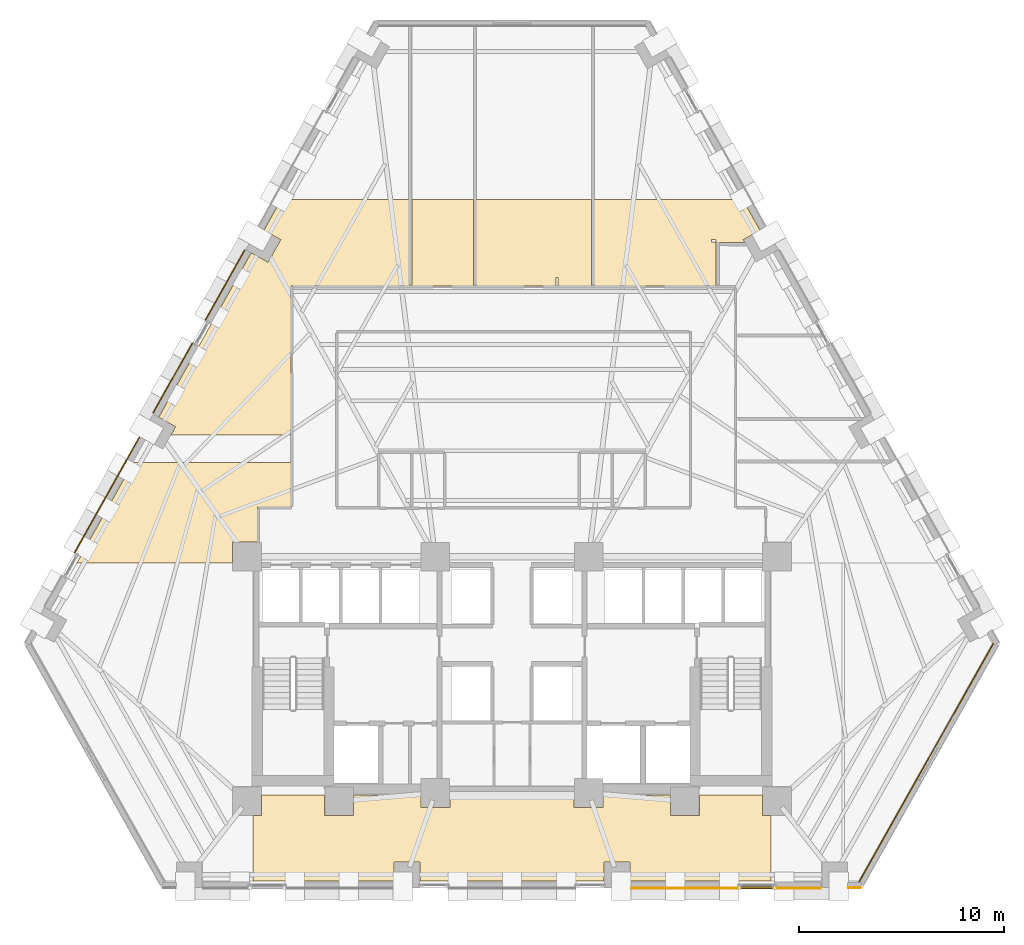
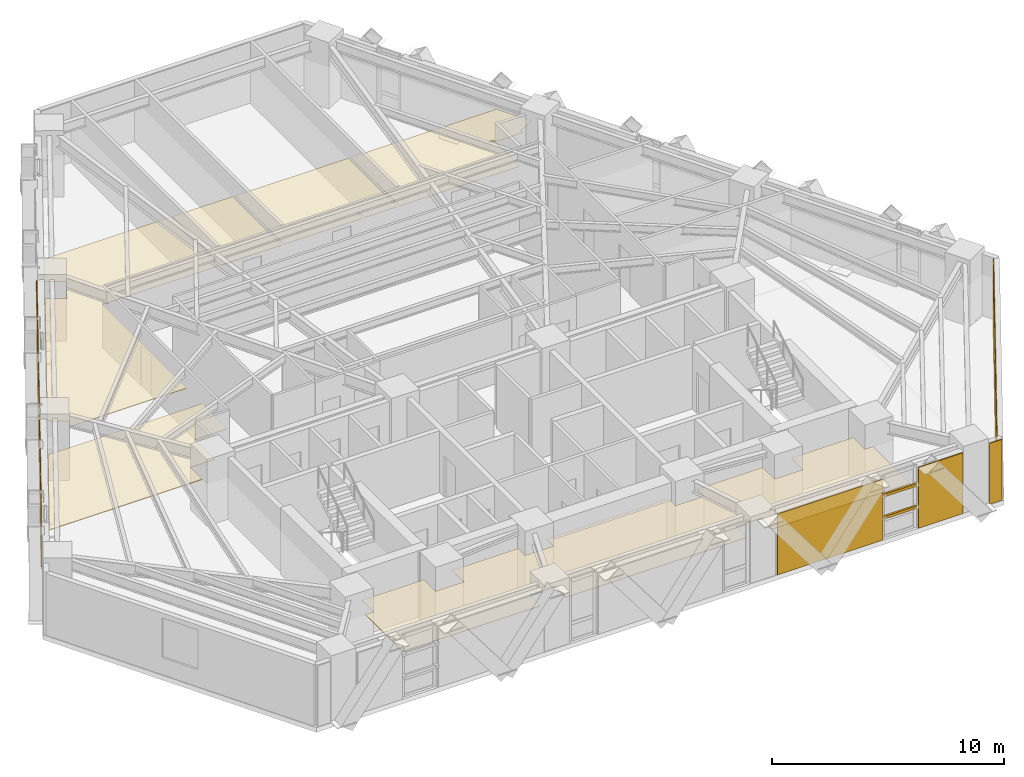
# One storey, part 11 of 13: 13 coverings, 2 shading devices.
"""IFC4 building model written with IfcOpenShell, lengths in metres."""

import ifcopenshell
import ifcopenshell.guid

model = None  # the IFC model being written
_history = None  # IfcOwnerHistory: only IFC2X3 demands one
_inside = {}  # id of a spatial element -> (the spatial element, [elements in it])
_under = {}  # id of a project, library or spatial element -> (it, [spatial elements below it])
_declared = {}  # id of a project -> (the project, [libraries it declares])
_typed = {}  # id of a type object -> (the type object, [elements of that type])
_made_of = {}  # id of a material, layer set ... -> (it, [elements and type objects made of it])


def new_model(schema):
    """Start an empty IFC model of exactly this schema.

    Asked for "IFC4X3", IfcOpenShell would pick the latest addendum, in which some entities
    have other attributes; the version numbers below select the first issue.
    IFC2X3 requires an IfcOwnerHistory on every rooted entity: one is made here for all.
    """
    global model, _history
    if schema == "IFC4X3":
        model = ifcopenshell.file(schema_version=(4, 3, 0, 0))
    else:
        model = ifcopenshell.file(schema=schema)
    _inside.clear()
    _under.clear()
    _declared.clear()
    _typed.clear()
    _made_of.clear()
    _history = None
    if model.schema == "IFC2X3":
        org = make("IfcOrganization", Name="unknown")
        user = make(
            "IfcPersonAndOrganization",
            ThePerson=make("IfcPerson", FamilyName="unknown"),
            TheOrganization=org,
        )
        app = make(
            "IfcApplication",
            ApplicationDeveloper=org,
            Version="unknown",
            ApplicationFullName="unknown",
            ApplicationIdentifier="unknown",
        )
        _history = make(
            "IfcOwnerHistory",
            OwningUser=user,
            OwningApplication=app,
            ChangeAction="ADDED",
            CreationDate=0,
        )
    return model


def make(cls, **values):
    """One entity of the class cls with the attributes given. An attribute that is None is left unset."""
    return model.create_entity(
        cls, **{name: value for name, value in values.items() if value is not None}
    )


def rooted(cls, **values):
    """An entity with a GlobalId (a new one), such as an element, a storey or a relation."""
    return make(cls, GlobalId=ifcopenshell.guid.new(), OwnerHistory=_history, **values)


def si_unit(unit_type, name, prefix=None):
    """IfcSIUnit, for example si_unit("LENGTHUNIT", "METRE", prefix="MILLI")."""
    return make("IfcSIUnit", UnitType=unit_type, Prefix=prefix, Name=name)


def assignment(units):
    """IfcUnitAssignment: the units of a project."""
    return None if units is None else make("IfcUnitAssignment", Units=units)


def point(xyz):
    """IfcCartesianPoint."""
    return None if xyz is None else make("IfcCartesianPoint", Coordinates=xyz)


def direction(xyz):
    """IfcDirection."""
    return None if xyz is None else make("IfcDirection", DirectionRatios=xyz)


def frame(location, z_axis=None, x_axis=None):
    """IfcAxis2Placement3D, a coordinate frame: its origin and axes. An axis left out is left unset."""
    return make(
        "IfcAxis2Placement3D",
        Location=point(location),
        Axis=direction(z_axis),
        RefDirection=direction(x_axis),
    )


def frame_2d(location, x_axis=None):
    """IfcAxis2Placement2D, a coordinate frame in the plane: its origin and x axis."""
    return make(
        "IfcAxis2Placement2D", Location=point(location), RefDirection=direction(x_axis)
    )


def origin():
    """The frame at (0, 0, 0) with its axes left unset."""
    return frame((0.0, 0.0, 0.0))


def origin_2d():
    """The frame at (0, 0) in the plane with its x axis left unset."""
    return frame_2d((0.0, 0.0))


def place(relative_to, where):
    """IfcLocalPlacement: puts the frame where relative to a parent placement (None: the world)."""
    return make(
        "IfcLocalPlacement", PlacementRelTo=relative_to, RelativePlacement=where
    )


def context(
    kind, dimensions, precision=None, world=None, true_north=None, identifier=None
):
    """IfcGeometricRepresentationContext, for example the 3D "Model" context."""
    return make(
        "IfcGeometricRepresentationContext",
        ContextIdentifier=identifier,
        ContextType=kind,
        CoordinateSpaceDimension=dimensions,
        Precision=precision,
        WorldCoordinateSystem=world,
        TrueNorth=true_north,
    )


def subcontext(parent, identifier, kind, view, scale=None):
    """IfcGeometricRepresentationSubContext, for example "Body" below "Model"."""
    return make(
        "IfcGeometricRepresentationSubContext",
        ContextIdentifier=identifier,
        ContextType=kind,
        ParentContext=parent,
        TargetScale=scale,
        TargetView=view,
    )


def project(units=None, contexts=None):
    """IfcProject with its units and contexts."""
    return rooted(
        "IfcProject",
        Name="project",
        RepresentationContexts=contexts,
        UnitsInContext=assignment(units),
    )


def spatial(cls, under=None, at=None, **own):
    """A site, building, storey or space (cls), placed at a placement, below another one or the project."""
    s = rooted(cls, ObjectPlacement=at, **own)
    if under is not None:
        _under.setdefault(under.id(), (under, []))[1].append(s)
    return s


def polyline(points):
    """IfcPolyline through the points."""
    return make("IfcPolyline", Points=[point(p) for p in points])


def profile(cls, at=None, kind="AREA", **sizes):
    """A parametric profile (cls). Its sizes go by their IFC names, for example OverallWidth=200.0."""
    return make(cls, ProfileType=kind, Position=at, **sizes)


def rectangle(**sizes):
    """IfcRectangleProfileDef."""
    return profile("IfcRectangleProfileDef", **sizes)


def outline(outer, holes=None, kind="AREA"):
    """IfcArbitraryClosedProfileDef: a profile drawn as a closed curve; with holes, ...WithVoids."""
    if holes is None:
        return make("IfcArbitraryClosedProfileDef", ProfileType=kind, OuterCurve=outer)
    return make(
        "IfcArbitraryProfileDefWithVoids",
        ProfileType=kind,
        OuterCurve=outer,
        InnerCurves=holes,
    )


def extrude(swept, where, along, depth):
    """IfcExtrudedAreaSolid: the profile swept, set in the frame where, extruded along a direction by depth."""
    return make(
        "IfcExtrudedAreaSolid",
        SweptArea=swept,
        Position=where,
        ExtrudedDirection=direction(along),
        Depth=depth,
    )


def shape(context_of_items, identifier, shape_type, items):
    """IfcShapeRepresentation: the items that make up one representation, for example the "Body"."""
    return make(
        "IfcShapeRepresentation",
        ContextOfItems=context_of_items,
        RepresentationIdentifier=identifier,
        RepresentationType=shape_type,
        Items=items,
    )


def material(Name=None, Category=None):
    """IfcMaterial."""
    return make("IfcMaterial", Name=Name, Category=Category)


def layer(
    of_material, thickness, ventilated=None, Name=None, Category=None, Priority=None
):
    """IfcMaterialLayer: one layer of a wall or slab, of a material (None: an air gap)."""
    return make(
        "IfcMaterialLayer",
        Material=of_material,
        LayerThickness=thickness,
        IsVentilated=ventilated,
        Name=Name,
        Category=Category,
        Priority=Priority,
    )


def layer_set(layers, Name=None):
    """IfcMaterialLayerSet."""
    return make("IfcMaterialLayerSet", MaterialLayers=layers, LayerSetName=Name)


def material_profile(
    of_material, cross_section, Name=None, Category=None, Priority=None
):
    """IfcMaterialProfile: a cross section and its material."""
    return make(
        "IfcMaterialProfile",
        Name=Name,
        Material=of_material,
        Profile=cross_section,
        Priority=Priority,
        Category=Category,
    )


def profile_set(profiles, Name=None, composite=None):
    """IfcMaterialProfileSet."""
    return make(
        "IfcMaterialProfileSet",
        Name=Name,
        MaterialProfiles=profiles,
        CompositeProfile=composite,
    )


def made_of(thing, what):
    """Note that an element or type object is made of a material, layer set ...; save() writes the relation."""
    if what is not None:
        _made_of.setdefault(what.id(), (what, []))[1].append(thing)
    return thing


def type_object(cls, material=None, **own):
    """A type object (cls), such as IfcWallType, which elements share."""
    return made_of(rooted(cls, **own), material)


def element(
    cls,
    number,
    at=None,
    inside=None,
    cuts=None,
    type_object=None,
    material=None,
    context=None,
    identifier="Body",
    shape_type=None,
    held_by="IfcProductDefinitionShape",
    body=None,
    shapes=None,
    **own,
):
    """One element of the class cls, such as IfcWall. Its Tag is "e" and its number.

    at: its placement. inside: the storey or other place that contains it. cuts: it is an
    opening in that element (IfcRelVoidsElement). A single representation is given by context,
    identifier, shape_type and body (its items); several are given by shapes. held_by: the class
    of the entity that holds the representations. save() writes the other relations.
    """
    e = rooted(cls, Tag="e%d" % number, ObjectPlacement=at, **own)
    if body is not None:
        shapes = [shape(context, identifier, shape_type, body)]
    if shapes is not None:
        e.Representation = make(held_by, Representations=shapes)
    if inside is not None:
        _inside.setdefault(inside.id(), (inside, []))[1].append(e)
    if cuts is not None:
        rooted(
            "IfcRelVoidsElement", RelatingBuildingElement=cuts, RelatedOpeningElement=e
        )
    if type_object is not None:
        _typed.setdefault(type_object.id(), (type_object, []))[1].append(e)
    return made_of(e, material)


def aggregate(whole, parts):
    """IfcRelAggregates: a whole, such as a stair, and the parts it consists of."""
    return rooted("IfcRelAggregates", RelatingObject=whole, RelatedObjects=parts)


def save(model, path):
    """Write the relations noted so far, then the file.

    IfcRelAggregates (storeys below a building ...), IfcRelContainedInSpatialStructure (elements
    in a storey), IfcRelDefinesByType, IfcRelAssociatesMaterial and IfcRelDeclares: one each for
    every whole, place, type object, material and project.
    """
    for whole, parts in _under.values():
        aggregate(whole, parts)
    for where, things in _inside.values():
        rooted(
            "IfcRelContainedInSpatialStructure",
            RelatedElements=things,
            RelatingStructure=where,
        )
    for kind, things in _typed.values():
        rooted("IfcRelDefinesByType", RelatedObjects=things, RelatingType=kind)
    for what, things in _made_of.values():
        rooted("IfcRelAssociatesMaterial", RelatedObjects=things, RelatingMaterial=what)
    for by, libraries in _declared.values():
        rooted("IfcRelDeclares", RelatingContext=by, RelatedDefinitions=libraries)
    model.write(path)


model = new_model("IFC4")

# Units and contexts
model_context = context("Model", 3, precision=1e-05, world=origin(), true_north=direction((0.0, 1.0)))
body_context = subcontext(model_context, "Body", "Model", "MODEL_VIEW")
ifc_project = project(units=[si_unit("LENGTHUNIT", "METRE"), si_unit("AREAUNIT", "SQUARE_METRE"), si_unit("VOLUMEUNIT", "CUBIC_METRE"), si_unit("PLANEANGLEUNIT", "RADIAN"), si_unit("MASSUNIT", "GRAM", prefix="KILO")], contexts=[model_context])

# Site, building, storey
site_placement = place(None, origin())
site = spatial("IfcSite", under=ifc_project, at=site_placement, CompositionType="ELEMENT")
building_placement = place(site_placement, origin())
building = spatial("IfcBuilding", under=site, at=building_placement, Name="Quenlor Broadcast Tower", CompositionType="ELEMENT")
storey_placement = place(building_placement, frame((0.0, 0.0, 38.10009765625)))
storey = spatial("IfcBuildingStorey", under=building, at=storey_placement, Name="L09", CompositionType="ELEMENT", Elevation=38.10009765625)

# Coverings
ifc_material_1 = material(Name="Acoustic Mineral Fibre Board", Category="other")
ifc_layer_1 = layer(ifc_material_1, 0.02490234375)
ifc_layer_set_1 = layer_set([ifc_layer_1], Name="Acoustic Perforated Mineral Tile Ceiling 25")
covering_type_1 = type_object("IfcCoveringType", Name="Acoustic Perforated Mineral Tile Ceiling 25", PredefinedType="CEILING", material=ifc_layer_set_1)
covering_1_placement = place(storey_placement, frame((0.0, 0.0, 2.224853515625)))
element("IfcCovering", 1, at=covering_1_placement, inside=storey, type_object=covering_type_1, Name="L09 Acoustic Ceiling L09-34", PredefinedType="CEILING", context=body_context, shape_type="SweptSolid", body=[
    extrude(outline(polyline([(-1.765869140625, 8.429931640625), (-1.765869140625, 12.64990234375), (3.8798828125, 12.64990234375), (3.8798828125, 8.429931640625), (2.260009765625, 8.429931640625), (2.260009765625, 8.85009765625), (2.139892578125, 8.85009765625), (2.139892578125, 8.429931640625), (-1.765869140625, 8.429931640625)])), origin(), (0.0, 0.0, 1.0), 0.025146484375),
])
covering_2_placement = place(storey_placement, frame((0.0, 0.0, 2.224853515625)))
element("IfcCovering", 2, at=covering_2_placement, inside=storey, type_object=covering_type_1, Name="L09 Acoustic Ceiling L09-35", PredefinedType="CEILING", context=body_context, shape_type="SweptSolid", body=[
    extrude(outline(polyline([(10.04248046875, 10.561279296875), (10.0166015625, 10.5751953125), (9.993896484375, 10.593994140625), (9.975341796875, 10.61669921875), (9.96142578125, 10.642578125), (9.952880859375, 10.670654296875), (9.949951171875, 10.699951171875), (9.75, 10.699951171875), (9.75, 10.580078125), (9.97998046875, 10.580078125), (9.97998046875, 8.429931640625), (4.0, 8.429931640625), (4.0, 12.64990234375), (11.27587890625, 12.64990234375), (12.122802734375, 11.154541015625), (11.301025390625, 10.6923828125), (11.381103515625, 10.550048828125), (10.10009765625, 10.550048828125), (10.07080078125, 10.552978515625), (10.04248046875, 10.561279296875)])), origin(), (0.0, 0.0, 1.0), 0.025146484375),
])
covering_3_placement = place(storey_placement, frame((0.0, 0.0, 2.224853515625)))
element("IfcCovering", 3, at=covering_3_placement, inside=storey, type_object=covering_type_1, Name="L09 Acoustic Ceiling L09-36", PredefinedType="CEILING", context=body_context, shape_type="SweptSolid", body=[
    extrude(outline(polyline([(-16.6630859375, 1.159912109375), (-16.44189453125, 1.552978515625), (-17.263671875, 2.015380859375), (-12.74365234375, 10.05126953125), (-11.921630859375, 9.5888671875), (-11.301025390625, 10.6923828125), (-12.122802734375, 11.154541015625), (-11.28173828125, 12.64990234375), (-5.02001953125, 12.64990234375), (-5.02001953125, 8.429931640625), (-10.804931640625, 8.429931640625), (-10.804931640625, 1.159912109375), (-16.6630859375, 1.159912109375)])), origin(), (0.0, 0.0, 1.0), 0.025146484375),
])
ifc_material_2 = material(Name="Acoustic Gypsum Board", Category="other")
ifc_layer_2 = layer(ifc_material_2, 0.0400390625)
ifc_layer_set_2 = layer_set([ifc_layer_2], Name="Broadcast Studio Spring Isolated Ceiling 40")
covering_type_2 = type_object("IfcCoveringType", Name="Broadcast Studio Spring Isolated Ceiling 40", PredefinedType="CEILING", material=ifc_layer_set_2)
covering_4_placement = place(storey_placement, frame((0.0, 0.0, 2.2099609375)))
element("IfcCovering", 4, at=covering_4_placement, inside=storey, type_object=covering_type_2, Name="L09 Acoustic Ceiling L09-33", PredefinedType="CEILING", context=body_context, shape_type="SweptSolid", body=[
    extrude(outline(polyline([(-1.8857421875, 8.429931640625), (-4.89990234375, 8.429931640625), (-4.89990234375, 12.64990234375), (-1.8857421875, 12.64990234375), (-1.8857421875, 8.429931640625)])), origin(), (0.0, 0.0, 1.0), 0.0400390625),
])
covering_5_placement = place(storey_placement, frame((0.0, 0.0, 2.2099609375)))
element("IfcCovering", 5, at=covering_5_placement, inside=storey, type_object=covering_type_2, Name="L09 Acoustic Ceiling L09-40", PredefinedType="CEILING", context=body_context, shape_type="SweptSolid", body=[
    extrude(outline(polyline([(-12.43994140625, -2.3701171875), (-12.43994140625, -4.092041015625), (-13.657958984375, -4.092041015625), (-13.657958984375, -5.1201171875), (-21.27734375, -5.1201171875), (-18.50439453125, -0.190185546875), (-10.804931640625, -0.190185546875), (-10.804931640625, -2.3701171875), (-12.43994140625, -2.3701171875)])), origin(), (0.0, 0.0, 1.0), 0.0400390625),
])
covering_6_placement = place(storey_placement, frame((0.0, 0.0, 2.2099609375)))
element("IfcCovering", 6, at=covering_6_placement, inside=storey, type_object=covering_type_2, Name="L09 Acoustic Ceiling L09-40-6", PredefinedType="CEILING", context=body_context, shape_type="SweptSolid", body=[
    extrude(outline(polyline([(-12.241943359375, -17.4580078125), (-12.241943359375, -16.449951171875), (-9.157958984375, -16.449951171875), (-9.157958984375, -17.4580078125), (-7.741943359375, -17.4580078125), (-7.741943359375, -16.449951171875), (-4.4580078125, -16.449951171875), (-4.4580078125, -17.05810546875), (-3.0419921875, -17.05810546875), (-3.0419921875, -16.449951171875), (3.0419921875, -16.449951171875), (3.0419921875, -17.05810546875), (4.4580078125, -17.05810546875), (4.4580078125, -16.449951171875), (7.741943359375, -16.449951171875), (7.741943359375, -17.4580078125), (9.157958984375, -17.4580078125), (9.157958984375, -16.449951171875), (12.241943359375, -16.449951171875), (12.241943359375, -17.4580078125), (12.64990234375, -17.4580078125), (12.64990234375, -20.659912109375), (5.773681640625, -20.659912109375), (5.773681640625, -19.717041015625), (4.5078125, -19.717041015625), (4.5078125, -20.659912109375), (-4.5078125, -20.659912109375), (-4.5078125, -19.717041015625), (-5.773681640625, -19.717041015625), (-5.773681640625, -20.659912109375), (-12.64990234375, -20.659912109375), (-12.64990234375, -17.4580078125), (-12.241943359375, -17.4580078125)])), origin(), (0.0, 0.0, 1.0), 0.0400390625),
])

# Shading devices
ifc_material_3 = material(Name="Architectural Terracotta Ceramic", Category="masonry")
ifc_material_profile = material_profile(ifc_material_3, rectangle(XDim=0.090087890625, YDim=0.139892578125, at=origin_2d()))
ifc_profile_set = profile_set([ifc_material_profile], Name="Architectural Terracotta Ceramic BAG90x140")
shading_device_type = type_object("IfcShadingDeviceType", Name="Copper Terracotta Baguette Solar Screen 140", PredefinedType="USERDEFINED", material=ifc_profile_set)
for number, where, z_axis, x_axis, name in (
    (7, (12.794921875, -20.98291015625, 1.169921875), (-1.0, 0.0, 0.0), (0.0, -1.0, 0.0), "L09 Terracotta Baguette Screen 1"),
    (8, (12.794921875, -20.98291015625, 2.33984375), (-1.0, 0.0, 0.0), (0.0, -1.0, 0.0), "L09 Terracotta Baguette Screen 2"),
):
    element("IfcShadingDevice", number, at=place(storey_placement, frame(where, z_axis=z_axis, x_axis=x_axis)), inside=storey, type_object=shading_device_type, Name=name, ObjectType="BAGUETTE", PredefinedType="USERDEFINED", context=body_context, shape_type="SweptSolid", body=[
        extrude(rectangle(XDim=0.090087890625, YDim=0.139892578125, at=origin_2d()), origin(), (0.0, 0.0, 1.0), 1.6484375),
    ])

# Coverings
ifc_material_4 = material(Name="Architectural Terracotta Ceramic", Category="masonry")
ifc_layer_3 = layer(ifc_material_4, 0.044921875)
ifc_layer_set_3 = layer_set([ifc_layer_3], Name="Fluted Terracotta Rainscreen Cladding Panel")
covering_type_3 = type_object("IfcCoveringType", Name="Fluted Terracotta Rainscreen Cladding Panel", PredefinedType="CLADDING", material=ifc_layer_set_3)
covering_7_placement = place(storey_placement, frame((0.0, 0.0, 0.02001953125)))
element("IfcCovering", 9, at=covering_7_placement, inside=storey, type_object=covering_type_3, Name="L09 Terracotta Rainscreen Cladding L09-SHD-SS0", PredefinedType="CLADDING", context=body_context, shape_type="SweptSolid", body=[
    extrude(outline(polyline([(17.0458984375, -20.951904296875), (16.425048828125, -20.951904296875), (16.425048828125, -20.9970703125), (17.0458984375, -20.9970703125), (17.0458984375, -20.951904296875)])), origin(), (0.0, 0.0, 1.0), 3.2099609375),
])
covering_8_placement = place(storey_placement, frame((0.0, 0.0, 0.02001953125)))
element("IfcCovering", 10, at=covering_8_placement, inside=storey, type_object=covering_type_3, Name="L09 Terracotta Rainscreen Cladding L09-SA-SP1", PredefinedType="CLADDING", context=body_context, shape_type="SweptSolid", body=[
    extrude(outline(polyline([(15.085205078125, -20.98193359375), (12.864990234375, -20.98193359375), (12.864990234375, -21.027099609375), (15.085205078125, -21.027099609375), (15.085205078125, -20.98193359375)])), origin(), (0.0, 0.0, 1.0), 3.2099609375),
])
covering_9_placement = place(storey_placement, frame((0.0, 0.0, 0.02001953125)))
element("IfcCovering", 11, at=covering_9_placement, inside=storey, type_object=covering_type_3, Name="L09 Terracotta Rainscreen Cladding L09-SA-SP2", PredefinedType="CLADDING", context=body_context, shape_type="SweptSolid", body=[
    extrude(outline(polyline([(11.07666015625, -20.98193359375), (5.82080078125, -20.98193359375), (5.82080078125, -21.027099609375), (11.07666015625, -21.027099609375), (11.07666015625, -20.98193359375)])), origin(), (0.0, 0.0, 1.0), 3.2099609375),
])
covering_10_placement = place(storey_placement, frame((0.0, 0.0, 0.02001953125)))
element("IfcCovering", 12, at=covering_10_placement, inside=storey, type_object=covering_type_3, Name="L09 Terracotta Rainscreen Cladding L09-NWA-SP2", PredefinedType="CLADDING", context=body_context, shape_type="SweptSolid", body=[
    extrude(outline(polyline([(-21.36669921875, -4.621826171875), (-18.18798828125, 1.029052734375), (-18.227294921875, 1.051025390625), (-21.406005859375, -4.599853515625), (-21.36669921875, -4.621826171875)])), origin(), (0.0, 0.0, 1.0), 3.2099609375),
])
covering_11_placement = place(storey_placement, frame((0.0, 0.0, 0.02001953125)))
element("IfcCovering", 13, at=covering_11_placement, inside=storey, type_object=covering_type_3, Name="L09 Terracotta Rainscreen Cladding L09-NW-SP1", PredefinedType="CLADDING", context=body_context, shape_type="SweptSolid", body=[
    extrude(outline(polyline([(-17.523681640625, 2.2099609375), (-15.595458984375, 5.63818359375), (-15.634765625, 5.66015625), (-17.56298828125, 2.23193359375), (-17.523681640625, 2.2099609375)])), origin(), (0.0, 0.0, 1.0), 3.2099609375),
])
covering_12_placement = place(storey_placement, frame((0.0, 0.0, 0.02001953125)))
element("IfcCovering", 14, at=covering_12_placement, inside=storey, type_object=covering_type_3, Name="L09 Terracotta Rainscreen Cladding L09-NW-SP2", PredefinedType="CLADDING", context=body_context, shape_type="SweptSolid", body=[
    extrude(outline(polyline([(-14.97314453125, 6.744384765625), (-13.044921875, 10.172607421875), (-13.083984375, 10.194580078125), (-15.012451171875, 6.766357421875), (-14.97314453125, 6.744384765625)])), origin(), (0.0, 0.0, 1.0), 3.2099609375),
])
covering_13_placement = place(storey_placement, frame((0.0, 0.0, 0.02001953125)))
element("IfcCovering", 15, at=covering_13_placement, inside=storey, type_object=covering_type_3, Name="L09 Terracotta Rainscreen Cladding L09-CNR-06", PredefinedType="CLADDING", context=body_context, shape_type="SweptSolid", body=[
    extrude(outline(polyline([(16.98388671875, -20.71533203125), (23.547607421875, -9.046875), (23.50830078125, -9.02490234375), (16.94482421875, -20.693359375), (16.98388671875, -20.71533203125)])), origin(), (0.0, 0.0, 1.0), 3.2099609375),
])

save(model, "model.ifc")
